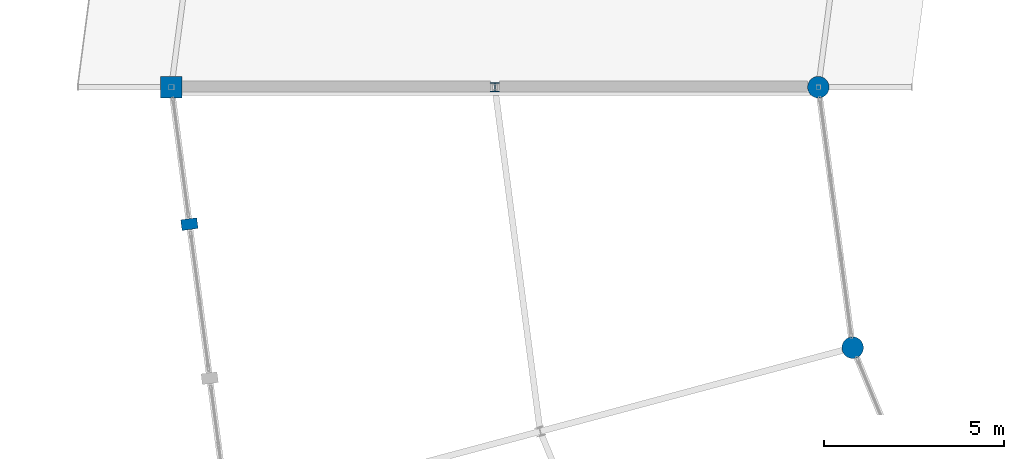
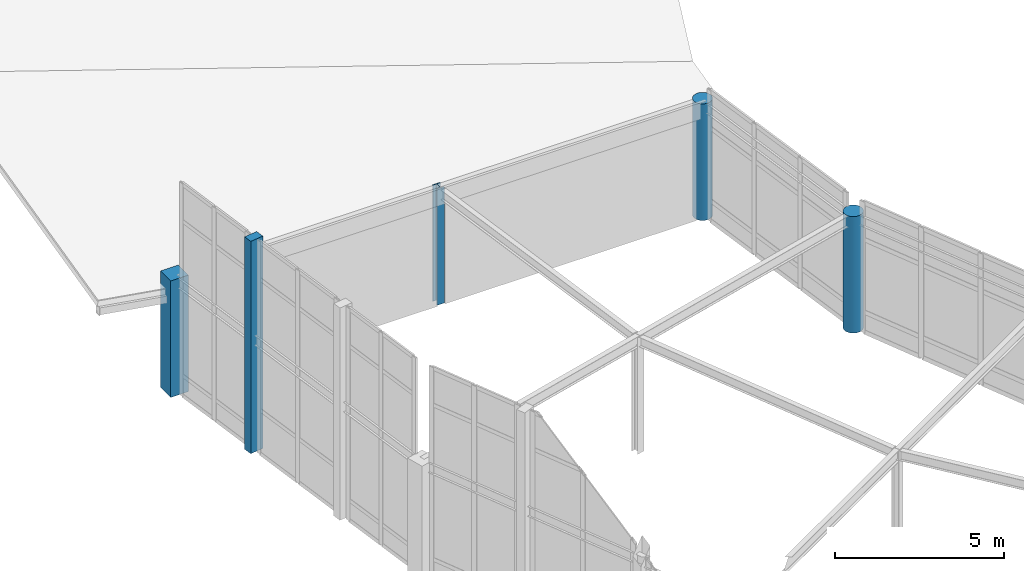
# One storey, part 3 of 93: 5 columns.
"""IFC4 building model written with IfcOpenShell, lengths in metres."""

from ifc_helpers import new_model, si_unit, direction, frame, origin, origin_2d, place, context, subcontext, project, spatial, rectangle, circle, i_section, extrude, material, material_profile, profile_set, type_object, element, save


model = new_model("IFC4")

# Units and contexts
model_context = context("Model", 3, precision=1e-05, world=origin(), true_north=direction((0.0, 1.0)))
body_context = subcontext(model_context, "Body", "Model", "MODEL_VIEW")
ifc_project = project(units=[si_unit("LENGTHUNIT", "METRE"), si_unit("AREAUNIT", "SQUARE_METRE"), si_unit("VOLUMEUNIT", "CUBIC_METRE"), si_unit("PLANEANGLEUNIT", "RADIAN"), si_unit("MASSUNIT", "GRAM", prefix="KILO")], contexts=[model_context])

# Site, building, storey
site_placement = place(None, origin())
site = spatial("IfcSite", under=ifc_project, at=site_placement, CompositionType="ELEMENT")
building_placement = place(site_placement, origin())
building = spatial("IfcBuilding", under=site, at=building_placement, Name="Vondelvale Polytechnic", CompositionType="ELEMENT")
storey_placement = place(building_placement, frame((0.0, 0.0, 18.0)))
storey = spatial("IfcBuildingStorey", under=building, at=storey_placement, Name="L04", CompositionType="ELEMENT", Elevation=18.0)

# Columns
ifc_material_1 = material(Name="Glulam GL18 structural Tasmanian oak (fb = 42 MPa)", Category="wood")
ifc_material_profile_1 = material_profile(ifc_material_1, rectangle(XDim=0.300048828125, YDim=0.449951171875, at=origin_2d()), Name="GL-POST-300x450")
ifc_profile_set_1 = profile_set([ifc_material_profile_1], Name="Glulam GL18 structural Tasmanian oak (fb = 42 MPa)")
column_type_1 = type_object("IfcColumnType", Name="COL-GLULAM-300x450", PredefinedType="PILASTER", material=ifc_profile_set_1)
column_1_placement = place(storey_placement, frame((56.501708984375, 68.190185546875, 0.0), z_axis=(0.0, 0.0, 1.0), x_axis=(-0.13052619222, 0.991444861374, 0.0)))
element("IfcColumn", 1, at=column_1_placement, inside=storey, type_object=column_type_1, Name="L04 ring outer glulam timber post C12-P1", PredefinedType="PILASTER", context=body_context, shape_type="SweptSolid", body=[
    extrude(rectangle(XDim=0.300048828125, YDim=0.449951171875, at=origin_2d()), origin(), (0.0, 0.0, 1.0), 7.6513671875),
])
ifc_material_2 = material(Name="Concrete N50 (f'c = 50 MPa)", Category="concrete")
ifc_material_profile_2 = material_profile(ifc_material_2, rectangle(XDim=0.60009765625, YDim=0.60009765625, at=origin_2d()), Name="RC-COL-600x600")
ifc_profile_set_2 = profile_set([ifc_material_profile_2], Name="Concrete N50 (f'c = 50 MPa)")
column_type_2 = type_object("IfcColumnType", Name="COL-RC600", PredefinedType="COLUMN", material=ifc_profile_set_2)
column_2_placement = place(storey_placement, frame((56.0, 72.0, 0.0), z_axis=(0.0, 0.0, 1.0), x_axis=(1.0, 0.0, 0.0)))
element("IfcColumn", 2, at=column_2_placement, inside=storey, type_object=column_type_2, Name="L04 courtyard ring column S12-RO", PredefinedType="COLUMN", context=body_context, shape_type="SweptSolid", body=[
    extrude(rectangle(XDim=0.60009765625, YDim=0.60009765625, at=origin_2d()), origin(), (0.0, 0.0, 1.0), 4.199951171875),
])
ifc_material_profile_3 = material_profile(ifc_material_2, circle(Radius=0.300048828125, at=origin_2d()), Name="RC-COL-D600")
ifc_profile_set_3 = profile_set([ifc_material_profile_3], Name="Concrete N50 (f'c = 50 MPa)")
column_type_3 = type_object("IfcColumnType", Name="COL-RCD600", PredefinedType="COLUMN", material=ifc_profile_set_3)
for number, where, z_axis, x_axis, name in (
    (3, (74.0, 72.0, 0.0), (0.0, 0.0, 1.0), (1.0, 0.0, 0.0), "L04 courtyard ring column S12-RI"),
    (4, (74.9541015625, 64.753173828125, 0.0), (0.0, 0.0, 1.0), (0.965925826289, 0.258819045103, 0.0), "L04 courtyard ring column S13-RI"),
):
    element("IfcColumn", number, at=place(storey_placement, frame(where, z_axis=z_axis, x_axis=x_axis)), inside=storey, type_object=column_type_3, Name=name, PredefinedType="COLUMN", context=body_context, shape_type="SweptSolid", body=[
        extrude(circle(Radius=0.300048828125, at=origin_2d()), origin(), (0.0, 0.0, 1.0), 4.199951171875),
    ])
ifc_material_3 = material(Name="Steel 300PLUS (fy = 300 MPa)", Category="steel")
ifc_material_profile_4 = material_profile(ifc_material_3, i_section(OverallWidth=0.25390625, OverallDepth=0.25390625, WebThickness=0.008544921875, FlangeThickness=0.01416015625, FilletRadius=0.013916015625, at=origin_2d()), Name="250UC72.9")
ifc_profile_set_4 = profile_set([ifc_material_profile_4], Name="Steel 300PLUS (fy = 300 MPa)")
column_type_4 = type_object("IfcColumnType", Name="COL-UC250L", PredefinedType="COLUMN", material=ifc_profile_set_4)
column_3_placement = place(storey_placement, frame((65.0, 72.0, 0.0), z_axis=(0.0, 0.0, 1.0), x_axis=(1.0, 0.0, 0.0)))
element("IfcColumn", 5, at=column_3_placement, inside=storey, type_object=column_type_4, Name="L04 courtyard ring column S12-RM", PredefinedType="COLUMN", context=body_context, shape_type="SweptSolid", body=[
    extrude(i_section(OverallWidth=0.25390625, OverallDepth=0.25390625, WebThickness=0.008544921875, FlangeThickness=0.01416015625, FilletRadius=0.013916015625, at=origin_2d()), origin(), (0.0, 0.0, 1.0), 4.199951171875),
])

save(model, "model.ifc")
